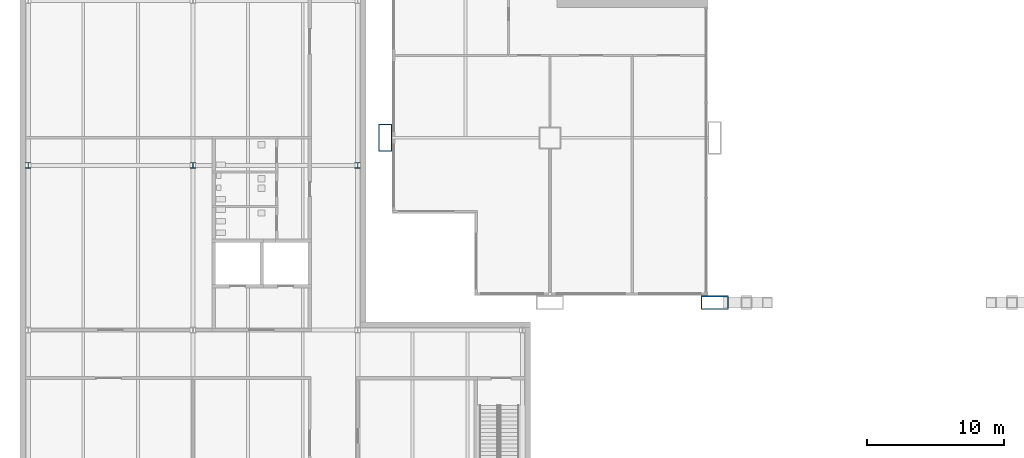
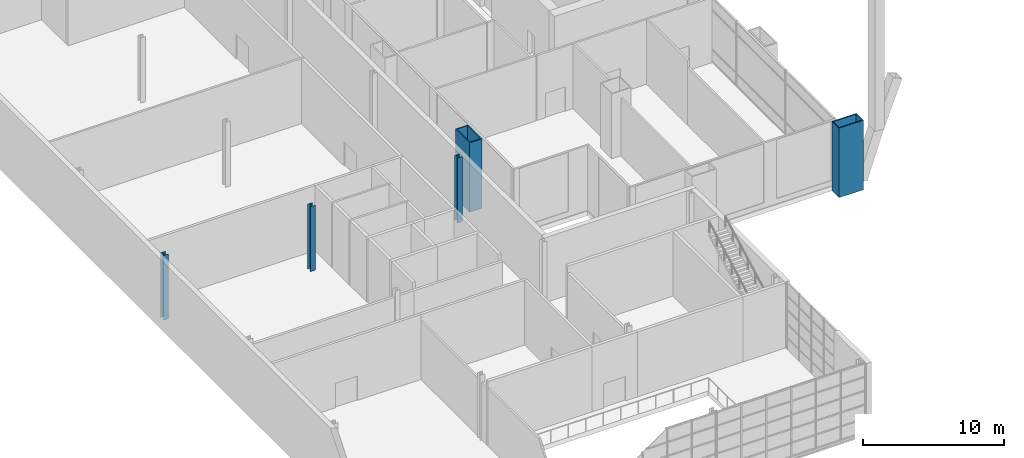
# One storey, part 2 of 30: 5 columns.
"""IFC4 building model written with IfcOpenShell, lengths in metres."""

from ifc_helpers import new_model, si_unit, direction, frame, origin, origin_2d, place, context, subcontext, project, spatial, hollow_rectangle, i_section, extrude, material, material_profile, profile_set, type_object, element, save


model = new_model("IFC4")

# Units and contexts
model_context = context("Model", 3, precision=1e-05, world=origin(), true_north=direction((0.0, 1.0)))
body_context = subcontext(model_context, "Body", "Model", "MODEL_VIEW")
ifc_project = project(units=[si_unit("LENGTHUNIT", "METRE"), si_unit("AREAUNIT", "SQUARE_METRE"), si_unit("VOLUMEUNIT", "CUBIC_METRE"), si_unit("PLANEANGLEUNIT", "RADIAN"), si_unit("MASSUNIT", "GRAM", prefix="KILO")], contexts=[model_context])

# Site, building, storey
site_placement = place(None, origin())
site = spatial("IfcSite", under=ifc_project, at=site_placement, CompositionType="ELEMENT")
building_placement = place(site_placement, origin())
building = spatial("IfcBuilding", under=site, at=building_placement, Name="Kitamizu Gate Tower and Museum", CompositionType="ELEMENT")
storey_placement = place(building_placement, frame((0.0, 0.0, 6.0)))
storey = spatial("IfcBuildingStorey", under=building, at=storey_placement, Name="L01", CompositionType="ELEMENT", Elevation=6.0)

# Columns
ifc_material_1 = material(Name="Steel SS400", Category="steel")
ifc_material_profile_1 = material_profile(ifc_material_1, i_section(OverallWidth=0.39990234375, OverallDepth=0.39990234375, WebThickness=0.012939453125, FlangeThickness=0.02099609375, FilletRadius=0.02197265625, at=origin_2d()), Name="H-400x400x13x21")
ifc_profile_set_1 = profile_set([ifc_material_profile_1], Name="Steel SS400")
column_type_1 = type_object("IfcColumnType", Name="Museum column H 400x400x13x21", PredefinedType="COLUMN", material=ifc_profile_set_1)
column_placement = place(storey_placement, frame((-14.0, 10.0, 0.0), z_axis=(0.0, 0.0, 1.0), x_axis=(1.0, 0.0, 0.0)))
element("IfcColumn", 1, at=column_placement, inside=storey, type_object=column_type_1, Name="Column M2MD", PredefinedType="COLUMN", context=body_context, shape_type="SweptSolid", body=[
    extrude(i_section(OverallWidth=0.39990234375, OverallDepth=0.39990234375, WebThickness=0.012939453125, FlangeThickness=0.02099609375, FilletRadius=0.02197265625, at=origin_2d()), origin(), (0.0, 0.0, 1.0), 5.60009765625),
])
ifc_material_2 = material(Name="Steel SS400", Category="steel")
ifc_material_profile_2 = material_profile(ifc_material_2, i_section(OverallWidth=0.39990234375, OverallDepth=0.39990234375, WebThickness=0.012939453125, FlangeThickness=0.02099609375, FilletRadius=0.02197265625, at=origin_2d()), Name="H-400x400x13x21")
ifc_profile_set_2 = profile_set([ifc_material_profile_2], Name="Steel SS400")
column_type_2 = type_object("IfcColumnType", Name="Museum perimeter column H 400x400x13x21", PredefinedType="COLUMN", material=ifc_profile_set_2)
for number, where, z_axis, x_axis, name in (
    (2, (-26.0, 10.0, 0.0), (0.0, 0.0, 1.0), (1.0, 0.0, 0.0), "Column M1MD"),
    (3, (-2.0, 10.0, 0.0), (0.0, 0.0, 1.0), (1.0, 0.0, 0.0), "Column M3MD"),
):
    element("IfcColumn", number, at=place(storey_placement, frame(where, z_axis=z_axis, x_axis=x_axis)), inside=storey, type_object=column_type_2, Name=name, PredefinedType="COLUMN", context=body_context, shape_type="SweptSolid", body=[
        extrude(i_section(OverallWidth=0.39990234375, OverallDepth=0.39990234375, WebThickness=0.012939453125, FlangeThickness=0.02099609375, FilletRadius=0.02197265625, at=origin_2d()), origin(), (0.0, 0.0, 1.0), 5.60009765625),
    ])
ifc_material_3 = material(Name="Steel SM490A bronze coated", Category="steel")
ifc_material_profile_3 = material_profile(ifc_material_3, hollow_rectangle(XDim=2.0, YDim=1.0, WallThickness=0.080078125, at=origin_2d()), Name="BOX 2000x1000x80")
ifc_profile_set_3 = profile_set([ifc_material_profile_3], Name="Steel SM490A bronze coated")
column_type_3 = type_object("IfcColumnType", Name="Podium leg column LC1 BOX 2000x1000x80", PredefinedType="COLUMN", material=ifc_profile_set_3)
for number, where, z_axis, x_axis, name in (
    (4, (0.0, 12.0, -0.39990234375), (0.0, 0.0, 1.0), (0.0, 1.0, 0.0), "Column LC1 1B L01"),
    (5, (24.0, 0.0, -0.39990234375), (0.0, 0.0, 1.0), (1.0, 0.0, 0.0), "Column LC1 3A L01"),
):
    element("IfcColumn", number, at=place(storey_placement, frame(where, z_axis=z_axis, x_axis=x_axis)), inside=storey, type_object=column_type_3, Name=name, PredefinedType="COLUMN", context=body_context, shape_type="SweptSolid", body=[
        extrude(hollow_rectangle(XDim=2.0, YDim=1.0, WallThickness=0.080078125, at=origin_2d()), origin(), (0.0, 0.0, 1.0), 6.0),
    ])

save(model, "model.ifc")
